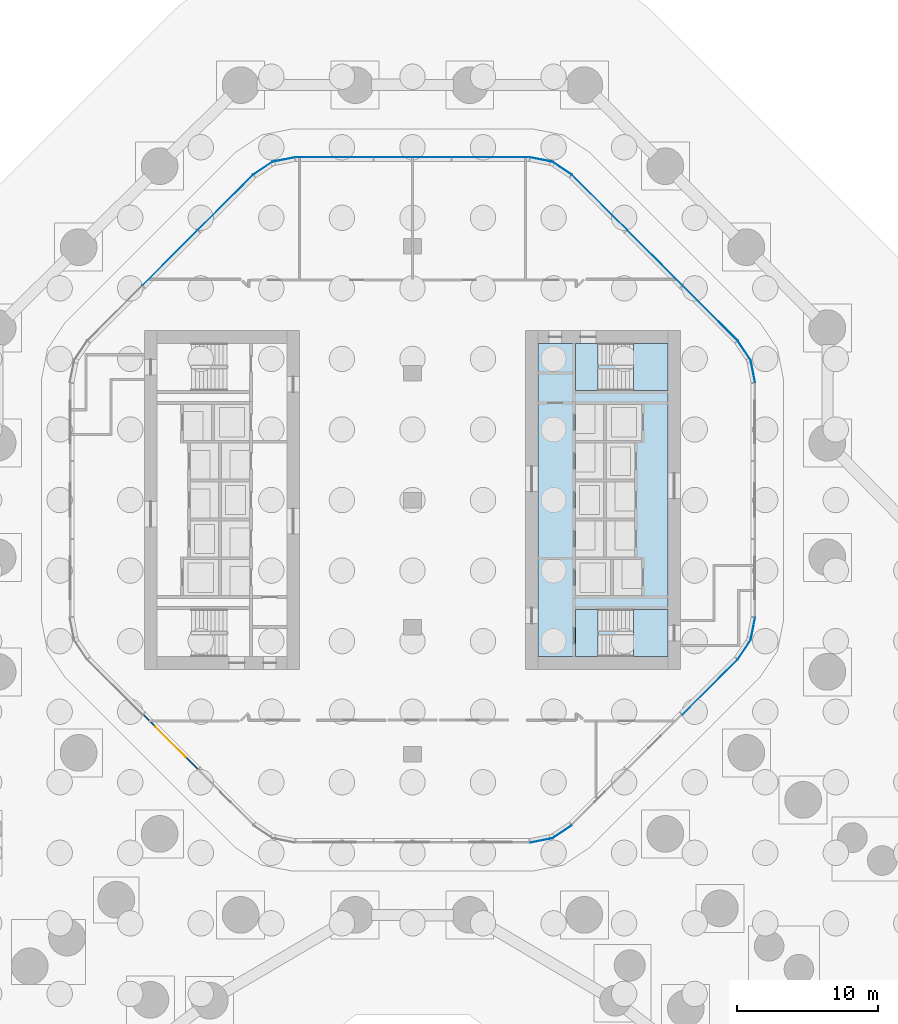
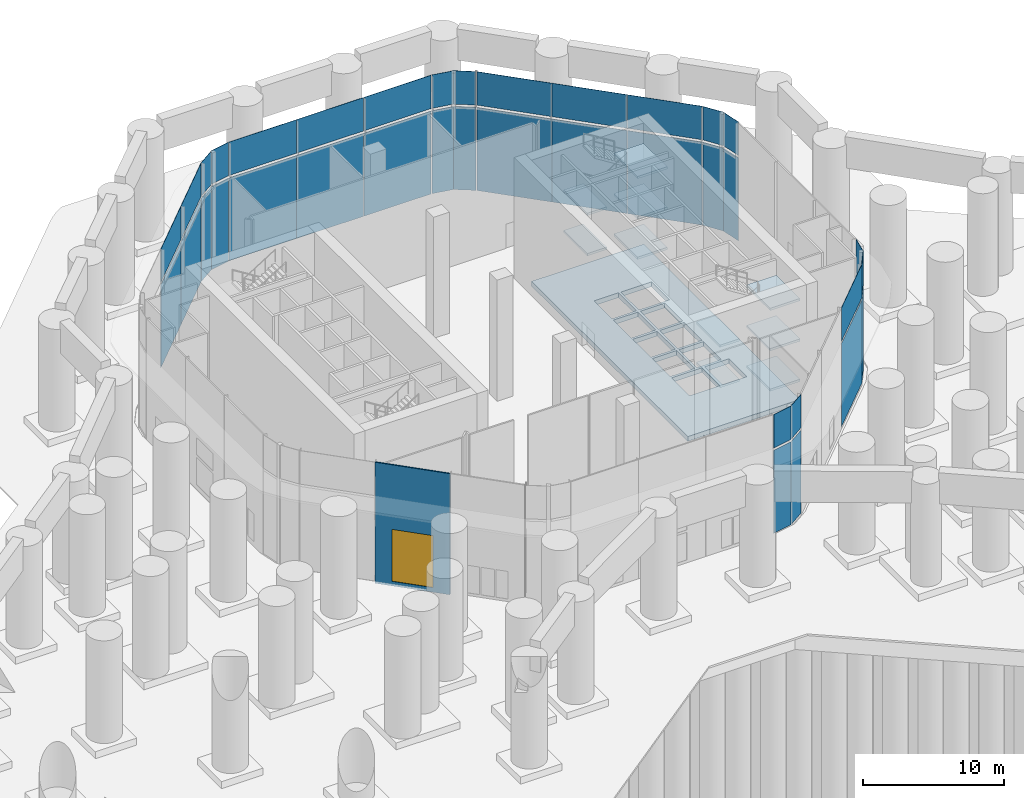
# One storey, part 21 of 31: 38 plates, 11 slabs, 1 door, 1 wall, 1 opening, 16 elements without a shape of their own.
"""IFC4 building model written with IfcOpenShell, lengths in metres."""

from ifc_helpers import new_model, si_unit, direction, frame, frame_2d, origin, origin_2d, place, context, subcontext, project, spatial, polyline, rectangle, outline, extrude, material, layer, layer_set, type_object, element, fill, aggregate, save


model = new_model("IFC4")

# Units and contexts
model_context = context("Model", 3, precision=1e-05, world=origin(), true_north=direction((0.0, 1.0)))
body_context = subcontext(model_context, "Body", "Model", "MODEL_VIEW")
ifc_project = project(units=[si_unit("LENGTHUNIT", "METRE"), si_unit("AREAUNIT", "SQUARE_METRE"), si_unit("VOLUMEUNIT", "CUBIC_METRE"), si_unit("PLANEANGLEUNIT", "RADIAN"), si_unit("MASSUNIT", "GRAM", prefix="KILO")], contexts=[model_context])

# Site, building, storey
site_placement = place(None, origin())
site = spatial("IfcSite", under=ifc_project, at=site_placement, CompositionType="ELEMENT")
building_placement = place(site_placement, origin())
building = spatial("IfcBuilding", under=site, at=building_placement, Name="Orlundy Tower", CompositionType="ELEMENT")
storey_placement = place(building_placement, origin())
storey = spatial("IfcBuildingStorey", under=building, at=storey_placement, Name="L00", CompositionType="ELEMENT", Elevation=0.0)

# Curtain wall, plates
ifc_material_1 = material(Name="Aluminium bronze anodised", Category="aluminium")
curtain_wall_type = type_object("IfcCurtainWallType", Name="CW3 wall", PredefinedType="NOTDEFINED", material=ifc_material_1)
curtain_wall_1_placement = place(storey_placement, origin())
curtain_wall_1 = element("IfcCurtainWall", 1, at=curtain_wall_1_placement, inside=storey, type_object=curtain_wall_type, Name="CW3 run 08", PredefinedType="NOTDEFINED")
ifc_material_2 = material(Name="Tinted glass", Category="glass")
ifc_layer_1 = layer(ifc_material_2, 0.02490234375)
ifc_layer_set_1 = layer_set([ifc_layer_1], Name="CW3 glass panel 25")
plate_type = type_object("IfcPlateType", Name="CW3 glass panel 25", PredefinedType="CURTAIN_PANEL", material=ifc_layer_set_1)
plate_1_placement = place(storey_placement, frame((-17.17333984375, 17.17333984375, -0.2001953125), z_axis=(0.0, 0.0, 1.0), x_axis=(0.707106781187, 0.707106781187, 0.0)))
plate_1 = element("IfcPlate", 2, at=plate_1_placement, type_object=plate_type, Name="CW3 panel", PredefinedType="CURTAIN_PANEL", context=body_context, shape_type="SweptSolid", body=[
    extrude(rectangle(XDim=5.50390625, YDim=0.02490234375, at=origin_2d()), origin(), (0.0, 0.0, 1.0), 7.199951171875),
])
plate_2_placement = place(storey_placement, frame((-17.17333984375, 17.17333984375, 7.199951171875), z_axis=(0.0, 0.0, 1.0), x_axis=(0.707106781187, 0.707106781187, 0.0)))
plate_2 = element("IfcPlate", 3, at=plate_2_placement, type_object=plate_type, Name="CW3 panel", PredefinedType="CURTAIN_PANEL", context=body_context, shape_type="SweptSolid", body=[
    extrude(rectangle(XDim=5.50390625, YDim=0.02490234375, at=origin_2d()), origin(), (0.0, 0.0, 1.0), 2.89990234375),
])
plate_3_placement = place(storey_placement, frame((-13.2646484375, 21.08203125, -0.2001953125), z_axis=(0.0, 0.0, 1.0), x_axis=(0.707106781187, 0.707106781187, 0.0)))
plate_3 = element("IfcPlate", 4, at=plate_3_placement, type_object=plate_type, Name="CW3 panel", PredefinedType="CURTAIN_PANEL", context=body_context, shape_type="SweptSolid", body=[
    extrude(rectangle(XDim=5.513427734375, YDim=0.02490234375, at=origin_2d()), origin(), (0.0, 0.0, 1.0), 7.199951171875),
])
plate_4_placement = place(storey_placement, frame((-13.2646484375, 21.08203125, 7.199951171875), z_axis=(0.0, 0.0, 1.0), x_axis=(0.707106781187, 0.707106781187, 0.0)))
plate_4 = element("IfcPlate", 5, at=plate_4_placement, type_object=plate_type, Name="CW3 panel", PredefinedType="CURTAIN_PANEL", context=body_context, shape_type="SweptSolid", body=[
    extrude(rectangle(XDim=5.513427734375, YDim=0.02490234375, at=origin_2d()), origin(), (0.0, 0.0, 1.0), 2.89990234375),
])
aggregate(curtain_wall_1, [plate_1, plate_2, plate_3, plate_4])

curtain_wall_2_placement = place(storey_placement, origin())
curtain_wall_2 = element("IfcCurtainWall", 6, at=curtain_wall_2_placement, inside=storey, type_object=curtain_wall_type, Name="CW3 run 09", PredefinedType="NOTDEFINED")
plate_5_placement = place(storey_placement, frame((-10.599609375, 23.516845703125, -0.2001953125), z_axis=(0.0, 0.0, 1.0), x_axis=(0.831063198802, 0.556177992729, 0.0)))
plate_5 = element("IfcPlate", 7, at=plate_5_placement, type_object=plate_type, Name="CW3 panel", PredefinedType="CURTAIN_PANEL", context=body_context, shape_type="SweptSolid", body=[
    extrude(rectangle(XDim=1.617919921875, YDim=0.02490234375, at=origin_2d()), origin(), (0.0, 0.0, 1.0), 7.199951171875),
])
plate_6_placement = place(storey_placement, frame((-10.599609375, 23.516845703125, 7.199951171875), z_axis=(0.0, 0.0, 1.0), x_axis=(0.831063198802, 0.556177992729, 0.0)))
plate_6 = element("IfcPlate", 8, at=plate_6_placement, type_object=plate_type, Name="CW3 panel", PredefinedType="CURTAIN_PANEL", context=body_context, shape_type="SweptSolid", body=[
    extrude(rectangle(XDim=1.617919921875, YDim=0.02490234375, at=origin_2d()), origin(), (0.0, 0.0, 1.0), 2.89990234375),
])
aggregate(curtain_wall_2, [plate_5, plate_6])

curtain_wall_3_placement = place(storey_placement, origin())
curtain_wall_3 = element("IfcCurtainWall", 9, at=curtain_wall_3_placement, inside=storey, type_object=curtain_wall_type, Name="CW3 run 010", PredefinedType="NOTDEFINED")
plate_7_placement = place(storey_placement, frame((-9.133544921875, 24.12451171875, -0.2001953125), z_axis=(0.0, 0.0, 1.0), x_axis=(0.980850787713, 0.19476070508, 0.0)))
plate_7 = element("IfcPlate", 10, at=plate_7_placement, type_object=plate_type, Name="CW3 panel", PredefinedType="CURTAIN_PANEL", context=body_context, shape_type="SweptSolid", body=[
    extrude(rectangle(XDim=1.6181640625, YDim=0.02490234375, at=origin_2d()), origin(), (0.0, 0.0, 1.0), 7.199951171875),
])
plate_8_placement = place(storey_placement, frame((-9.133544921875, 24.12451171875, 7.199951171875), z_axis=(0.0, 0.0, 1.0), x_axis=(0.980850787713, 0.19476070508, 0.0)))
plate_8 = element("IfcPlate", 11, at=plate_8_placement, type_object=plate_type, Name="CW3 panel", PredefinedType="CURTAIN_PANEL", context=body_context, shape_type="SweptSolid", body=[
    extrude(rectangle(XDim=1.6181640625, YDim=0.02490234375, at=origin_2d()), origin(), (0.0, 0.0, 1.0), 2.89990234375),
])
aggregate(curtain_wall_3, [plate_7, plate_8])

curtain_wall_4_placement = place(storey_placement, origin())
curtain_wall_4 = element("IfcCurtainWall", 12, at=curtain_wall_4_placement, inside=storey, type_object=curtain_wall_type, Name="CW3 run 011", PredefinedType="NOTDEFINED")
plate_9_placement = place(storey_placement, frame((-5.52734375, 24.28759765625, -0.2001953125), z_axis=(0.0, 0.0, 1.0), x_axis=(1.0, 0.0, 0.0)))
plate_9 = element("IfcPlate", 13, at=plate_9_placement, type_object=plate_type, Name="CW3 panel", PredefinedType="CURTAIN_PANEL", context=body_context, shape_type="SweptSolid", body=[
    extrude(rectangle(XDim=5.51318359375, YDim=0.02490234375, at=origin_2d()), origin(), (0.0, 0.0, 1.0), 7.199951171875),
])
plate_10_placement = place(storey_placement, frame((-5.52734375, 24.28759765625, 7.199951171875), z_axis=(0.0, 0.0, 1.0), x_axis=(1.0, 0.0, 0.0)))
plate_10 = element("IfcPlate", 14, at=plate_10_placement, type_object=plate_type, Name="CW3 panel", PredefinedType="CURTAIN_PANEL", context=body_context, shape_type="SweptSolid", body=[
    extrude(rectangle(XDim=5.51318359375, YDim=0.02490234375, at=origin_2d()), origin(), (0.0, 0.0, 1.0), 2.89990234375),
])
plate_11_placement = place(storey_placement, frame((0.0, 24.28759765625, -0.2001953125), z_axis=(0.0, 0.0, 1.0), x_axis=(1.0, 0.0, 0.0)))
plate_11 = element("IfcPlate", 15, at=plate_11_placement, type_object=plate_type, Name="CW3 panel", PredefinedType="CURTAIN_PANEL", context=body_context, shape_type="SweptSolid", body=[
    extrude(rectangle(XDim=5.503662109375, YDim=0.02490234375, at=origin_2d()), origin(), (0.0, 0.0, 1.0), 7.199951171875),
])
plate_12_placement = place(storey_placement, frame((0.0, 24.28759765625, 7.199951171875), z_axis=(0.0, 0.0, 1.0), x_axis=(1.0, 0.0, 0.0)))
plate_12 = element("IfcPlate", 16, at=plate_12_placement, type_object=plate_type, Name="CW3 panel", PredefinedType="CURTAIN_PANEL", context=body_context, shape_type="SweptSolid", body=[
    extrude(rectangle(XDim=5.503662109375, YDim=0.02490234375, at=origin_2d()), origin(), (0.0, 0.0, 1.0), 2.89990234375),
])
plate_13_placement = place(storey_placement, frame((5.52734375, 24.28759765625, -0.2001953125), z_axis=(0.0, 0.0, 1.0), x_axis=(1.0, 0.0, 0.0)))
plate_13 = element("IfcPlate", 17, at=plate_13_placement, type_object=plate_type, Name="CW3 panel", PredefinedType="CURTAIN_PANEL", context=body_context, shape_type="SweptSolid", body=[
    extrude(rectangle(XDim=5.51318359375, YDim=0.02490234375, at=origin_2d()), origin(), (0.0, 0.0, 1.0), 7.199951171875),
])
plate_14_placement = place(storey_placement, frame((5.52734375, 24.28759765625, 7.199951171875), z_axis=(0.0, 0.0, 1.0), x_axis=(1.0, 0.0, 0.0)))
plate_14 = element("IfcPlate", 18, at=plate_14_placement, type_object=plate_type, Name="CW3 panel", PredefinedType="CURTAIN_PANEL", context=body_context, shape_type="SweptSolid", body=[
    extrude(rectangle(XDim=5.51318359375, YDim=0.02490234375, at=origin_2d()), origin(), (0.0, 0.0, 1.0), 2.89990234375),
])
aggregate(curtain_wall_4, [plate_9, plate_10, plate_11, plate_12, plate_13, plate_14])

curtain_wall_5_placement = place(storey_placement, origin())
curtain_wall_5 = element("IfcCurtainWall", 19, at=curtain_wall_5_placement, inside=storey, type_object=curtain_wall_type, Name="CW3 run 012", PredefinedType="NOTDEFINED")
plate_15_placement = place(storey_placement, frame((9.133544921875, 24.12451171875, -0.2001953125), z_axis=(0.0, 0.0, 1.0), x_axis=(0.980850787713, -0.19476070508, 0.0)))
plate_15 = element("IfcPlate", 20, at=plate_15_placement, type_object=plate_type, Name="CW3 panel", PredefinedType="CURTAIN_PANEL", context=body_context, shape_type="SweptSolid", body=[
    extrude(rectangle(XDim=1.6181640625, YDim=0.02490234375, at=origin_2d()), origin(), (0.0, 0.0, 1.0), 7.199951171875),
])
plate_16_placement = place(storey_placement, frame((9.133544921875, 24.12451171875, 7.199951171875), z_axis=(0.0, 0.0, 1.0), x_axis=(0.980850787713, -0.19476070508, 0.0)))
plate_16 = element("IfcPlate", 21, at=plate_16_placement, type_object=plate_type, Name="CW3 panel", PredefinedType="CURTAIN_PANEL", context=body_context, shape_type="SweptSolid", body=[
    extrude(rectangle(XDim=1.6181640625, YDim=0.02490234375, at=origin_2d()), origin(), (0.0, 0.0, 1.0), 2.89990234375),
])
aggregate(curtain_wall_5, [plate_15, plate_16])

curtain_wall_6_placement = place(storey_placement, origin())
curtain_wall_6 = element("IfcCurtainWall", 22, at=curtain_wall_6_placement, inside=storey, type_object=curtain_wall_type, Name="CW3 run 013", PredefinedType="NOTDEFINED")
plate_17_placement = place(storey_placement, frame((10.599609375, 23.516845703125, -0.2001953125), z_axis=(0.0, 0.0, 1.0), x_axis=(0.831063198802, -0.556177992729, 0.0)))
plate_17 = element("IfcPlate", 23, at=plate_17_placement, type_object=plate_type, Name="CW3 panel", PredefinedType="CURTAIN_PANEL", context=body_context, shape_type="SweptSolid", body=[
    extrude(rectangle(XDim=1.617919921875, YDim=0.02490234375, at=origin_2d()), origin(), (0.0, 0.0, 1.0), 7.199951171875),
])
plate_18_placement = place(storey_placement, frame((10.599609375, 23.516845703125, 7.199951171875), z_axis=(0.0, 0.0, 1.0), x_axis=(0.831063198802, -0.556177992729, 0.0)))
plate_18 = element("IfcPlate", 24, at=plate_18_placement, type_object=plate_type, Name="CW3 panel", PredefinedType="CURTAIN_PANEL", context=body_context, shape_type="SweptSolid", body=[
    extrude(rectangle(XDim=1.617919921875, YDim=0.02490234375, at=origin_2d()), origin(), (0.0, 0.0, 1.0), 2.89990234375),
])
aggregate(curtain_wall_6, [plate_17, plate_18])

curtain_wall_7_placement = place(storey_placement, origin())
curtain_wall_7 = element("IfcCurtainWall", 25, at=curtain_wall_7_placement, inside=storey, type_object=curtain_wall_type, Name="CW3 run 014", PredefinedType="NOTDEFINED")
plate_19_placement = place(storey_placement, frame((13.2646484375, 21.08203125, -0.2001953125), z_axis=(0.0, 0.0, 1.0), x_axis=(0.707106781187, -0.707106781187, 0.0)))
plate_19 = element("IfcPlate", 26, at=plate_19_placement, type_object=plate_type, Name="CW3 panel", PredefinedType="CURTAIN_PANEL", context=body_context, shape_type="SweptSolid", body=[
    extrude(rectangle(XDim=5.513427734375, YDim=0.02490234375, at=origin_2d()), origin(), (0.0, 0.0, 1.0), 7.199951171875),
])
plate_20_placement = place(storey_placement, frame((13.2646484375, 21.08203125, 7.199951171875), z_axis=(0.0, 0.0, 1.0), x_axis=(0.707106781187, -0.707106781187, 0.0)))
plate_20 = element("IfcPlate", 27, at=plate_20_placement, type_object=plate_type, Name="CW3 panel", PredefinedType="CURTAIN_PANEL", context=body_context, shape_type="SweptSolid", body=[
    extrude(rectangle(XDim=5.513427734375, YDim=0.02490234375, at=origin_2d()), origin(), (0.0, 0.0, 1.0), 2.89990234375),
])
plate_21_placement = place(storey_placement, frame((17.17333984375, 17.17333984375, -0.2001953125), z_axis=(0.0, 0.0, 1.0), x_axis=(0.707106781187, -0.707106781187, 0.0)))
plate_21 = element("IfcPlate", 28, at=plate_21_placement, type_object=plate_type, Name="CW3 panel", PredefinedType="CURTAIN_PANEL", context=body_context, shape_type="SweptSolid", body=[
    extrude(rectangle(XDim=5.50390625, YDim=0.02490234375, at=origin_2d()), origin(), (0.0, 0.0, 1.0), 7.199951171875),
])
plate_22_placement = place(storey_placement, frame((17.17333984375, 17.17333984375, 7.199951171875), z_axis=(0.0, 0.0, 1.0), x_axis=(0.707106781187, -0.707106781187, 0.0)))
plate_22 = element("IfcPlate", 29, at=plate_22_placement, type_object=plate_type, Name="CW3 panel", PredefinedType="CURTAIN_PANEL", context=body_context, shape_type="SweptSolid", body=[
    extrude(rectangle(XDim=5.50390625, YDim=0.02490234375, at=origin_2d()), origin(), (0.0, 0.0, 1.0), 2.89990234375),
])
plate_23_placement = place(storey_placement, frame((21.08203125, 13.2646484375, -0.2001953125), z_axis=(0.0, 0.0, 1.0), x_axis=(0.707106781187, -0.707106781187, 0.0)))
plate_23 = element("IfcPlate", 30, at=plate_23_placement, type_object=plate_type, Name="CW3 panel", PredefinedType="CURTAIN_PANEL", context=body_context, shape_type="SweptSolid", body=[
    extrude(rectangle(XDim=5.513427734375, YDim=0.02490234375, at=origin_2d()), origin(), (0.0, 0.0, 1.0), 7.199951171875),
])
plate_24_placement = place(storey_placement, frame((21.08203125, 13.2646484375, 7.199951171875), z_axis=(0.0, 0.0, 1.0), x_axis=(0.707106781187, -0.707106781187, 0.0)))
plate_24 = element("IfcPlate", 31, at=plate_24_placement, type_object=plate_type, Name="CW3 panel", PredefinedType="CURTAIN_PANEL", context=body_context, shape_type="SweptSolid", body=[
    extrude(rectangle(XDim=5.513427734375, YDim=0.02490234375, at=origin_2d()), origin(), (0.0, 0.0, 1.0), 2.89990234375),
])
aggregate(curtain_wall_7, [plate_19, plate_20, plate_21, plate_22, plate_23, plate_24])

curtain_wall_8_placement = place(storey_placement, origin())
curtain_wall_8 = element("IfcCurtainWall", 32, at=curtain_wall_8_placement, inside=storey, type_object=curtain_wall_type, Name="CW3 run 015", PredefinedType="NOTDEFINED")
plate_25_placement = place(storey_placement, frame((23.516845703125, 10.599609375, -0.2001953125), z_axis=(0.0, 0.0, 1.0), x_axis=(0.556177992729, -0.831063198802, 0.0)))
plate_25 = element("IfcPlate", 33, at=plate_25_placement, type_object=plate_type, Name="CW3 panel", PredefinedType="CURTAIN_PANEL", context=body_context, shape_type="SweptSolid", body=[
    extrude(rectangle(XDim=1.617919921875, YDim=0.02490234375, at=origin_2d()), origin(), (0.0, 0.0, 1.0), 7.199951171875),
])
plate_26_placement = place(storey_placement, frame((23.516845703125, 10.599609375, 7.199951171875), z_axis=(0.0, 0.0, 1.0), x_axis=(0.556177992729, -0.831063198802, 0.0)))
plate_26 = element("IfcPlate", 34, at=plate_26_placement, type_object=plate_type, Name="CW3 panel", PredefinedType="CURTAIN_PANEL", context=body_context, shape_type="SweptSolid", body=[
    extrude(rectangle(XDim=1.617919921875, YDim=0.02490234375, at=origin_2d()), origin(), (0.0, 0.0, 1.0), 2.89990234375),
])
aggregate(curtain_wall_8, [plate_25, plate_26])

curtain_wall_9_placement = place(storey_placement, origin())
curtain_wall_9 = element("IfcCurtainWall", 35, at=curtain_wall_9_placement, inside=storey, type_object=curtain_wall_type, Name="CW3 run 016", PredefinedType="NOTDEFINED")
plate_27_placement = place(storey_placement, frame((24.12451171875, 9.133544921875, -0.2001953125), z_axis=(0.0, 0.0, 1.0), x_axis=(0.19476070508, -0.980850787713, 0.0)))
plate_27 = element("IfcPlate", 36, at=plate_27_placement, type_object=plate_type, Name="CW3 panel", PredefinedType="CURTAIN_PANEL", context=body_context, shape_type="SweptSolid", body=[
    extrude(rectangle(XDim=1.6181640625, YDim=0.02490234375, at=origin_2d()), origin(), (0.0, 0.0, 1.0), 7.199951171875),
])
plate_28_placement = place(storey_placement, frame((24.12451171875, 9.133544921875, 7.199951171875), z_axis=(0.0, 0.0, 1.0), x_axis=(0.19476070508, -0.980850787713, 0.0)))
plate_28 = element("IfcPlate", 37, at=plate_28_placement, type_object=plate_type, Name="CW3 panel", PredefinedType="CURTAIN_PANEL", context=body_context, shape_type="SweptSolid", body=[
    extrude(rectangle(XDim=1.6181640625, YDim=0.02490234375, at=origin_2d()), origin(), (0.0, 0.0, 1.0), 2.89990234375),
])
aggregate(curtain_wall_9, [plate_27, plate_28])

curtain_wall_10_placement = place(storey_placement, origin())
curtain_wall_10 = element("IfcCurtainWall", 38, at=curtain_wall_10_placement, inside=storey, type_object=curtain_wall_type, Name="CW3 run 018", PredefinedType="NOTDEFINED")
plate_29_placement = place(storey_placement, frame((24.12451171875, -9.133544921875, -0.2001953125), z_axis=(0.0, 0.0, 1.0), x_axis=(-0.19476070508, -0.980850787713, 0.0)))
plate_29 = element("IfcPlate", 39, at=plate_29_placement, type_object=plate_type, Name="CW3 panel", PredefinedType="CURTAIN_PANEL", context=body_context, shape_type="SweptSolid", body=[
    extrude(rectangle(XDim=1.6181640625, YDim=0.02490234375, at=origin_2d()), origin(), (0.0, 0.0, 1.0), 7.199951171875),
])
plate_30_placement = place(storey_placement, frame((24.12451171875, -9.133544921875, 7.199951171875), z_axis=(0.0, 0.0, 1.0), x_axis=(-0.19476070508, -0.980850787713, 0.0)))
plate_30 = element("IfcPlate", 40, at=plate_30_placement, type_object=plate_type, Name="CW3 panel", PredefinedType="CURTAIN_PANEL", context=body_context, shape_type="SweptSolid", body=[
    extrude(rectangle(XDim=1.6181640625, YDim=0.02490234375, at=origin_2d()), origin(), (0.0, 0.0, 1.0), 2.89990234375),
])
aggregate(curtain_wall_10, [plate_29, plate_30])

curtain_wall_11_placement = place(storey_placement, origin())
curtain_wall_11 = element("IfcCurtainWall", 41, at=curtain_wall_11_placement, inside=storey, type_object=curtain_wall_type, Name="CW3 run 019", PredefinedType="NOTDEFINED")
plate_31_placement = place(storey_placement, frame((23.516845703125, -10.599609375, -0.2001953125), z_axis=(0.0, 0.0, 1.0), x_axis=(-0.556177992729, -0.831063198802, 0.0)))
plate_31 = element("IfcPlate", 42, at=plate_31_placement, type_object=plate_type, Name="CW3 panel", PredefinedType="CURTAIN_PANEL", context=body_context, shape_type="SweptSolid", body=[
    extrude(rectangle(XDim=1.617919921875, YDim=0.02490234375, at=origin_2d()), origin(), (0.0, 0.0, 1.0), 7.199951171875),
])
plate_32_placement = place(storey_placement, frame((23.516845703125, -10.599609375, 7.199951171875), z_axis=(0.0, 0.0, 1.0), x_axis=(-0.556177992729, -0.831063198802, 0.0)))
plate_32 = element("IfcPlate", 43, at=plate_32_placement, type_object=plate_type, Name="CW3 panel", PredefinedType="CURTAIN_PANEL", context=body_context, shape_type="SweptSolid", body=[
    extrude(rectangle(XDim=1.617919921875, YDim=0.02490234375, at=origin_2d()), origin(), (0.0, 0.0, 1.0), 2.89990234375),
])
aggregate(curtain_wall_11, [plate_31, plate_32])

curtain_wall_12_placement = place(storey_placement, origin())
curtain_wall_12 = element("IfcCurtainWall", 44, at=curtain_wall_12_placement, inside=storey, type_object=curtain_wall_type, Name="CW3 run 020", PredefinedType="NOTDEFINED")
plate_33_placement = place(storey_placement, frame((21.08203125, -13.2646484375, -0.2001953125), z_axis=(0.0, 0.0, 1.0), x_axis=(-0.707106781187, -0.707106781187, 0.0)))
plate_33 = element("IfcPlate", 45, at=plate_33_placement, type_object=plate_type, Name="CW3 panel", PredefinedType="CURTAIN_PANEL", context=body_context, shape_type="SweptSolid", body=[
    extrude(rectangle(XDim=5.513427734375, YDim=0.02490234375, at=origin_2d()), origin(), (0.0, 0.0, 1.0), 7.199951171875),
])
plate_34_placement = place(storey_placement, frame((21.08203125, -13.2646484375, 7.199951171875), z_axis=(0.0, 0.0, 1.0), x_axis=(-0.707106781187, -0.707106781187, 0.0)))
plate_34 = element("IfcPlate", 46, at=plate_34_placement, type_object=plate_type, Name="CW3 panel", PredefinedType="CURTAIN_PANEL", context=body_context, shape_type="SweptSolid", body=[
    extrude(rectangle(XDim=5.513427734375, YDim=0.02490234375, at=origin_2d()), origin(), (0.0, 0.0, 1.0), 2.89990234375),
])
aggregate(curtain_wall_12, [plate_33, plate_34])

curtain_wall_13_placement = place(storey_placement, origin())
curtain_wall_13 = element("IfcCurtainWall", 47, at=curtain_wall_13_placement, inside=storey, type_object=curtain_wall_type, Name="CW3 run 021", PredefinedType="NOTDEFINED")
plate_35_placement = place(storey_placement, frame((10.599609375, -23.516845703125, -0.2001953125), z_axis=(0.0, 0.0, 1.0), x_axis=(-0.831063198802, -0.556177992729, 0.0)))
plate_35 = element("IfcPlate", 48, at=plate_35_placement, type_object=plate_type, Name="CW3 panel", PredefinedType="CURTAIN_PANEL", context=body_context, shape_type="SweptSolid", body=[
    extrude(rectangle(XDim=1.617919921875, YDim=0.02490234375, at=origin_2d()), origin(), (0.0, 0.0, 1.0), 7.199951171875),
])
plate_36_placement = place(storey_placement, frame((10.599609375, -23.516845703125, 7.199951171875), z_axis=(0.0, 0.0, 1.0), x_axis=(-0.831063198802, -0.556177992729, 0.0)))
plate_36 = element("IfcPlate", 49, at=plate_36_placement, type_object=plate_type, Name="CW3 panel", PredefinedType="CURTAIN_PANEL", context=body_context, shape_type="SweptSolid", body=[
    extrude(rectangle(XDim=1.617919921875, YDim=0.02490234375, at=origin_2d()), origin(), (0.0, 0.0, 1.0), 2.89990234375),
])
aggregate(curtain_wall_13, [plate_35, plate_36])

curtain_wall_14_placement = place(storey_placement, origin())
curtain_wall_14 = element("IfcCurtainWall", 50, at=curtain_wall_14_placement, inside=storey, type_object=curtain_wall_type, Name="CW3 run 022", PredefinedType="NOTDEFINED")
plate_37_placement = place(storey_placement, frame((9.133544921875, -24.12451171875, -0.2001953125), z_axis=(0.0, 0.0, 1.0), x_axis=(-0.980850787713, -0.19476070508, 0.0)))
plate_37 = element("IfcPlate", 51, at=plate_37_placement, type_object=plate_type, Name="CW3 panel", PredefinedType="CURTAIN_PANEL", context=body_context, shape_type="SweptSolid", body=[
    extrude(rectangle(XDim=1.6181640625, YDim=0.02490234375, at=origin_2d()), origin(), (0.0, 0.0, 1.0), 7.199951171875),
])
plate_38_placement = place(storey_placement, frame((9.133544921875, -24.12451171875, 7.199951171875), z_axis=(0.0, 0.0, 1.0), x_axis=(-0.980850787713, -0.19476070508, 0.0)))
plate_38 = element("IfcPlate", 52, at=plate_38_placement, type_object=plate_type, Name="CW3 panel", PredefinedType="CURTAIN_PANEL", context=body_context, shape_type="SweptSolid", body=[
    extrude(rectangle(XDim=1.6181640625, YDim=0.02490234375, at=origin_2d()), origin(), (0.0, 0.0, 1.0), 2.89990234375),
])
aggregate(curtain_wall_14, [plate_37, plate_38])

# Slab
ifc_material_3 = material(Name="Concrete C50/60", Category="concrete")
ifc_layer_2 = layer(ifc_material_3, 0.409912109375)
ifc_layer_set_2 = layer_set([ifc_layer_2], Name="Core Floor Slab 410")
slab_type_1 = type_object("IfcSlabType", Name="Core Floor Slab 410", PredefinedType="FLOOR", material=ifc_layer_set_2)
slab_1_placement = place(storey_placement, frame((0.0, 0.0, -0.409912109375)))
element("IfcSlab", 53, at=slab_1_placement, inside=storey, type_object=slab_type_1, Name="Core floor E01", PredefinedType="FLOOR", context=body_context, shape_type="SweptSolid", body=[
    extrude(outline(polyline([(18.10009765625, -11.10009765625), (8.89990234375, -11.10009765625), (8.89990234375, 11.10009765625), (18.10009765625, 11.10009765625), (18.10009765625, -11.10009765625)]), holes=[polyline([(13.5400390625, 4.22509765625), (13.5400390625, 6.77490234375), (11.5400390625, 6.77490234375), (11.5400390625, 4.22509765625), (13.5400390625, 4.22509765625)]), polyline([(13.739990234375, 4.22509765625), (16.239990234375, 4.22509765625), (16.239990234375, 6.77490234375), (13.739990234375, 6.77490234375), (13.739990234375, 4.22509765625)]), polyline([(11.5400390625, 4.02490234375), (11.5400390625, 1.47509765625), (13.5400390625, 1.47509765625), (13.5400390625, 4.02490234375), (11.5400390625, 4.02490234375)]), polyline([(15.739990234375, 4.02490234375), (13.739990234375, 4.02490234375), (13.739990234375, 1.47509765625), (15.739990234375, 1.47509765625), (15.739990234375, 4.02490234375)]), polyline([(13.5400390625, -1.27490234375), (13.5400390625, 1.27490234375), (11.5400390625, 1.27490234375), (11.5400390625, -1.27490234375), (13.5400390625, -1.27490234375)]), polyline([(13.739990234375, -1.27490234375), (15.739990234375, -1.27490234375), (15.739990234375, 1.27490234375), (13.739990234375, 1.27490234375), (13.739990234375, -1.27490234375)]), polyline([(11.5400390625, -1.47509765625), (11.5400390625, -4.02490234375), (13.5400390625, -4.02490234375), (13.5400390625, -1.47509765625), (11.5400390625, -1.47509765625)]), polyline([(15.739990234375, -1.47509765625), (13.739990234375, -1.47509765625), (13.739990234375, -4.02490234375), (15.739990234375, -4.02490234375), (15.739990234375, -1.47509765625)]), polyline([(14.0400390625, -6.77490234375), (14.0400390625, -4.22509765625), (11.5400390625, -4.22509765625), (11.5400390625, -6.77490234375), (14.0400390625, -6.77490234375)]), polyline([(14.239990234375, -6.77490234375), (16.239990234375, -6.77490234375), (16.239990234375, -4.22509765625), (14.239990234375, -4.22509765625), (14.239990234375, -6.77490234375)])]), origin(), (0.0, 0.0, 1.0), 0.409912109375),
])

# Stair, slabs
ifc_material_4 = material(Name="Concrete C50/60", Category="concrete")
stair_type = type_object("IfcStairType", Name="Exit Stair 60 risers", PredefinedType="HALF_TURN_STAIR", material=ifc_material_4)
stair_1_placement = place(storey_placement, origin())
stair_1 = element("IfcStair", 54, at=stair_1_placement, inside=storey, type_object=stair_type, Name="L00 Exit Stair ST-E1", PredefinedType="HALF_TURN_STAIR")
ifc_material_5 = material(Name="Concrete C50/60", Category="concrete")
ifc_layer_3 = layer(ifc_material_5, 0.199951171875)
ifc_layer_set_3 = layer_set([ifc_layer_3], Name="Exit Stair Landing")
slab_type_2 = type_object("IfcSlabType", Name="Exit Stair Landing", PredefinedType="LANDING", material=ifc_layer_set_3)
slab_2_placement = place(storey_placement, frame((0.0, 0.0, 1.550048828125)))
slab_2 = element("IfcSlab", 55, at=slab_2_placement, type_object=slab_type_2, Name="ST-E1 landing 1", PredefinedType="LANDING", context=body_context, shape_type="SweptSolid", body=[
    extrude(outline(polyline([(15.659912109375, -11.10009765625), (18.10009765625, -11.10009765625), (18.10009765625, -7.75), (15.659912109375, -7.75), (15.659912109375, -11.10009765625)])), origin(), (0.0, 0.0, 1.0), 0.199951171875),
])
slab_3_placement = place(storey_placement, frame((0.0, 0.0, 3.300048828125)))
slab_3 = element("IfcSlab", 56, at=slab_3_placement, type_object=slab_type_2, Name="ST-E1 landing 2", PredefinedType="LANDING", context=body_context, shape_type="SweptSolid", body=[
    extrude(outline(polyline([(11.5400390625, -11.10009765625), (13.139892578125, -11.10009765625), (13.139892578125, -7.75), (11.5400390625, -7.75), (11.5400390625, -11.10009765625)])), origin(), (0.0, 0.0, 1.0), 0.199951171875),
])
slab_4_placement = place(storey_placement, frame((0.0, 0.0, 5.050048828125)))
slab_4 = element("IfcSlab", 57, at=slab_4_placement, type_object=slab_type_2, Name="ST-E1 landing 3", PredefinedType="LANDING", context=body_context, shape_type="SweptSolid", body=[
    extrude(outline(polyline([(15.659912109375, -11.10009765625), (18.10009765625, -11.10009765625), (18.10009765625, -7.75), (15.659912109375, -7.75), (15.659912109375, -11.10009765625)])), origin(), (0.0, 0.0, 1.0), 0.199951171875),
])
slab_5_placement = place(storey_placement, frame((0.0, 0.0, 6.800048828125)))
slab_5 = element("IfcSlab", 58, at=slab_5_placement, type_object=slab_type_2, Name="ST-E1 landing 4", PredefinedType="LANDING", context=body_context, shape_type="SweptSolid", body=[
    extrude(outline(polyline([(11.5400390625, -11.10009765625), (13.139892578125, -11.10009765625), (13.139892578125, -7.75), (11.5400390625, -7.75), (11.5400390625, -11.10009765625)])), origin(), (0.0, 0.0, 1.0), 0.199951171875),
])
slab_6_placement = place(storey_placement, frame((0.0, 0.0, 8.550048828125)))
slab_6 = element("IfcSlab", 59, at=slab_6_placement, type_object=slab_type_2, Name="ST-E1 landing 5", PredefinedType="LANDING", context=body_context, shape_type="SweptSolid", body=[
    extrude(outline(polyline([(15.659912109375, -11.10009765625), (18.10009765625, -11.10009765625), (18.10009765625, -7.75), (15.659912109375, -7.75), (15.659912109375, -11.10009765625)])), origin(), (0.0, 0.0, 1.0), 0.199951171875),
])
aggregate(stair_1, [slab_2, slab_3, slab_4, slab_5, slab_6])

stair_2_placement = place(storey_placement, origin())
stair_2 = element("IfcStair", 60, at=stair_2_placement, inside=storey, type_object=stair_type, Name="L00 Exit Stair ST-E2", PredefinedType="HALF_TURN_STAIR")
slab_7_placement = place(storey_placement, frame((0.0, 0.0, 1.550048828125)))
slab_7 = element("IfcSlab", 61, at=slab_7_placement, type_object=slab_type_2, Name="ST-E2 landing 1", PredefinedType="LANDING", context=body_context, shape_type="SweptSolid", body=[
    extrude(outline(polyline([(15.659912109375, 7.75), (18.10009765625, 7.75), (18.10009765625, 11.10009765625), (15.659912109375, 11.10009765625), (15.659912109375, 7.75)])), origin(), (0.0, 0.0, 1.0), 0.199951171875),
])
slab_8_placement = place(storey_placement, frame((0.0, 0.0, 3.300048828125)))
slab_8 = element("IfcSlab", 62, at=slab_8_placement, type_object=slab_type_2, Name="ST-E2 landing 2", PredefinedType="LANDING", context=body_context, shape_type="SweptSolid", body=[
    extrude(outline(polyline([(11.5400390625, 7.75), (13.139892578125, 7.75), (13.139892578125, 11.10009765625), (11.5400390625, 11.10009765625), (11.5400390625, 7.75)])), origin(), (0.0, 0.0, 1.0), 0.199951171875),
])
slab_9_placement = place(storey_placement, frame((0.0, 0.0, 5.050048828125)))
slab_9 = element("IfcSlab", 63, at=slab_9_placement, type_object=slab_type_2, Name="ST-E2 landing 3", PredefinedType="LANDING", context=body_context, shape_type="SweptSolid", body=[
    extrude(outline(polyline([(15.659912109375, 7.75), (18.10009765625, 7.75), (18.10009765625, 11.10009765625), (15.659912109375, 11.10009765625), (15.659912109375, 7.75)])), origin(), (0.0, 0.0, 1.0), 0.199951171875),
])
slab_10_placement = place(storey_placement, frame((0.0, 0.0, 6.800048828125)))
slab_10 = element("IfcSlab", 64, at=slab_10_placement, type_object=slab_type_2, Name="ST-E2 landing 4", PredefinedType="LANDING", context=body_context, shape_type="SweptSolid", body=[
    extrude(outline(polyline([(11.5400390625, 7.75), (13.139892578125, 7.75), (13.139892578125, 11.10009765625), (11.5400390625, 11.10009765625), (11.5400390625, 7.75)])), origin(), (0.0, 0.0, 1.0), 0.199951171875),
])
slab_11_placement = place(storey_placement, frame((0.0, 0.0, 8.550048828125)))
slab_11 = element("IfcSlab", 65, at=slab_11_placement, type_object=slab_type_2, Name="ST-E2 landing 5", PredefinedType="LANDING", context=body_context, shape_type="SweptSolid", body=[
    extrude(outline(polyline([(15.659912109375, 7.75), (18.10009765625, 7.75), (18.10009765625, 11.10009765625), (15.659912109375, 11.10009765625), (15.659912109375, 7.75)])), origin(), (0.0, 0.0, 1.0), 0.199951171875),
])
aggregate(stair_2, [slab_7, slab_8, slab_9, slab_10, slab_11])

# Wall, opening, door
ifc_material_6 = material(Name="Aluminium bronze and tinted glass", Category="aluminium")
ifc_layer_4 = layer(ifc_material_6, 0.10009765625)
ifc_layer_set_4 = layer_set([ifc_layer_4], Name="Glazed door screen")
wall_type = type_object("IfcWallType", Name="Glazed door screen", PredefinedType="STANDARD", material=ifc_layer_set_4)
wall_placement = place(storey_placement, frame((-15.200927734375, -19.0927734375, -0.39990234375), z_axis=(0.0, 0.0, 1.0), x_axis=(-0.707106781187, 0.707106781187, 0.0)))
wall = element("IfcWall", 66, at=wall_placement, inside=storey, type_object=wall_type, Name="Glazed door screen", PredefinedType="STANDARD", context=body_context, shape_type="SweptSolid", body=[
    extrude(rectangle(XDim=5.50390625, YDim=0.10009765625, at=frame_2d((2.751953125, 0.0))), origin(), (0.0, 0.0, 1.0), 10.5),
])
opening_placement = place(wall_placement, frame((1.251953125, 0.0, 0.39990234375)))
opening = element("IfcOpeningElement", 67, at=opening_placement, cuts=wall, Name="Opening 01920", PredefinedType="OPENING", context=body_context, shape_type="SweptSolid", body=[
    extrude(rectangle(XDim=3.0, YDim=4.5, at=frame_2d((1.5, 2.25))), frame((0.0, 0.06005859375, 0.0), z_axis=(0.0, -1.0, 0.0), x_axis=(1.0, 0.0, 0.0)), (0.0, 0.0, 1.0), 0.1201171875),
])
ifc_material_7 = material(Name="Aluminium bronze anodised", Category="aluminium")
door_type = type_object("IfcDoorType", Name="SD1 loading door 3000x4500", OperationType="ROLLINGUP", PredefinedType="DOOR", material=ifc_material_7)
door_placement = place(opening_placement, origin())
door = element("IfcDoor", 68, at=door_placement, inside=storey, type_object=door_type, Name="Door 01920", OperationType="SINGLE_SWING_LEFT", OverallHeight=4.5, OverallWidth=3.0, PredefinedType="DOOR", context=body_context, shape_type="SweptSolid", body=[
    extrude(rectangle(XDim=3.0, YDim=4.5, at=frame_2d((1.5, 2.25))), frame((0.0, 0.02490234375, 0.0), z_axis=(0.0, -1.0, 0.0), x_axis=(1.0, 0.0, 0.0)), (0.0, 0.0, 1.0), 0.050048828125),
])
fill(opening, door)

save(model, "model.ifc")
